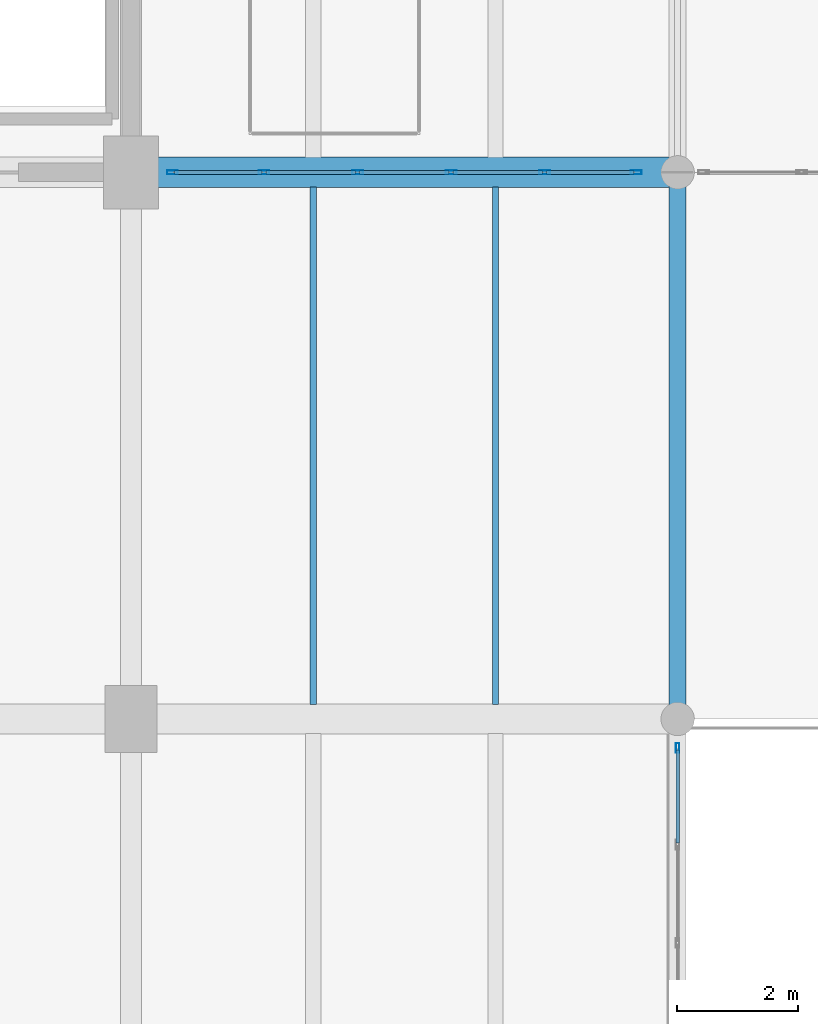
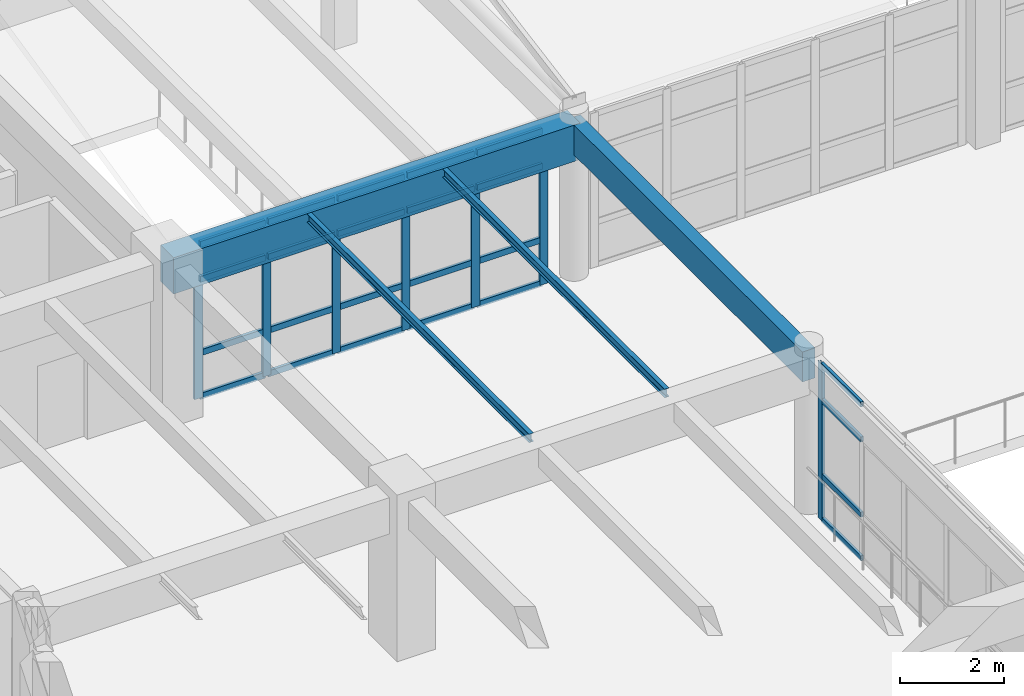
# One storey, part 56 of 156: 31 members, 4 beams, 2 elements without a shape of their own.
"""IFC4 building model written with IfcOpenShell, lengths in metres."""

import ifcopenshell
import ifcopenshell.guid

model = None  # the IFC model being written
_history = None  # IfcOwnerHistory: only IFC2X3 demands one
_inside = {}  # id of a spatial element -> (the spatial element, [elements in it])
_under = {}  # id of a project, library or spatial element -> (it, [spatial elements below it])
_declared = {}  # id of a project -> (the project, [libraries it declares])
_typed = {}  # id of a type object -> (the type object, [elements of that type])
_made_of = {}  # id of a material, layer set ... -> (it, [elements and type objects made of it])


def new_model(schema):
    """Start an empty IFC model of exactly this schema.

    Asked for "IFC4X3", IfcOpenShell would pick the latest addendum, in which some entities
    have other attributes; the version numbers below select the first issue.
    IFC2X3 requires an IfcOwnerHistory on every rooted entity: one is made here for all.
    """
    global model, _history
    if schema == "IFC4X3":
        model = ifcopenshell.file(schema_version=(4, 3, 0, 0))
    else:
        model = ifcopenshell.file(schema=schema)
    _inside.clear()
    _under.clear()
    _declared.clear()
    _typed.clear()
    _made_of.clear()
    _history = None
    if model.schema == "IFC2X3":
        org = make("IfcOrganization", Name="unknown")
        user = make(
            "IfcPersonAndOrganization",
            ThePerson=make("IfcPerson", FamilyName="unknown"),
            TheOrganization=org,
        )
        app = make(
            "IfcApplication",
            ApplicationDeveloper=org,
            Version="unknown",
            ApplicationFullName="unknown",
            ApplicationIdentifier="unknown",
        )
        _history = make(
            "IfcOwnerHistory",
            OwningUser=user,
            OwningApplication=app,
            ChangeAction="ADDED",
            CreationDate=0,
        )
    return model


def make(cls, **values):
    """One entity of the class cls with the attributes given. An attribute that is None is left unset."""
    return model.create_entity(
        cls, **{name: value for name, value in values.items() if value is not None}
    )


def rooted(cls, **values):
    """An entity with a GlobalId (a new one), such as an element, a storey or a relation."""
    return make(cls, GlobalId=ifcopenshell.guid.new(), OwnerHistory=_history, **values)


def si_unit(unit_type, name, prefix=None):
    """IfcSIUnit, for example si_unit("LENGTHUNIT", "METRE", prefix="MILLI")."""
    return make("IfcSIUnit", UnitType=unit_type, Prefix=prefix, Name=name)


def assignment(units):
    """IfcUnitAssignment: the units of a project."""
    return None if units is None else make("IfcUnitAssignment", Units=units)


def point(xyz):
    """IfcCartesianPoint."""
    return None if xyz is None else make("IfcCartesianPoint", Coordinates=xyz)


def direction(xyz):
    """IfcDirection."""
    return None if xyz is None else make("IfcDirection", DirectionRatios=xyz)


def frame(location, z_axis=None, x_axis=None):
    """IfcAxis2Placement3D, a coordinate frame: its origin and axes. An axis left out is left unset."""
    return make(
        "IfcAxis2Placement3D",
        Location=point(location),
        Axis=direction(z_axis),
        RefDirection=direction(x_axis),
    )


def frame_2d(location, x_axis=None):
    """IfcAxis2Placement2D, a coordinate frame in the plane: its origin and x axis."""
    return make(
        "IfcAxis2Placement2D", Location=point(location), RefDirection=direction(x_axis)
    )


def origin():
    """The frame at (0, 0, 0) with its axes left unset."""
    return frame((0.0, 0.0, 0.0))


def origin_2d():
    """The frame at (0, 0) in the plane with its x axis left unset."""
    return frame_2d((0.0, 0.0))


def place(relative_to, where):
    """IfcLocalPlacement: puts the frame where relative to a parent placement (None: the world)."""
    return make(
        "IfcLocalPlacement", PlacementRelTo=relative_to, RelativePlacement=where
    )


def context(
    kind, dimensions, precision=None, world=None, true_north=None, identifier=None
):
    """IfcGeometricRepresentationContext, for example the 3D "Model" context."""
    return make(
        "IfcGeometricRepresentationContext",
        ContextIdentifier=identifier,
        ContextType=kind,
        CoordinateSpaceDimension=dimensions,
        Precision=precision,
        WorldCoordinateSystem=world,
        TrueNorth=true_north,
    )


def subcontext(parent, identifier, kind, view, scale=None):
    """IfcGeometricRepresentationSubContext, for example "Body" below "Model"."""
    return make(
        "IfcGeometricRepresentationSubContext",
        ContextIdentifier=identifier,
        ContextType=kind,
        ParentContext=parent,
        TargetScale=scale,
        TargetView=view,
    )


def project(units=None, contexts=None):
    """IfcProject with its units and contexts."""
    return rooted(
        "IfcProject",
        Name="project",
        RepresentationContexts=contexts,
        UnitsInContext=assignment(units),
    )


def spatial(cls, under=None, at=None, **own):
    """A site, building, storey or space (cls), placed at a placement, below another one or the project."""
    s = rooted(cls, ObjectPlacement=at, **own)
    if under is not None:
        _under.setdefault(under.id(), (under, []))[1].append(s)
    return s


def profile(cls, at=None, kind="AREA", **sizes):
    """A parametric profile (cls). Its sizes go by their IFC names, for example OverallWidth=200.0."""
    return make(cls, ProfileType=kind, Position=at, **sizes)


def rectangle(**sizes):
    """IfcRectangleProfileDef."""
    return profile("IfcRectangleProfileDef", **sizes)


def hollow_rectangle(**sizes):
    """IfcRectangleHollowProfileDef."""
    return profile("IfcRectangleHollowProfileDef", **sizes)


def i_section(**sizes):
    """IfcIShapeProfileDef."""
    return profile("IfcIShapeProfileDef", **sizes)


def extrude(swept, where, along, depth):
    """IfcExtrudedAreaSolid: the profile swept, set in the frame where, extruded along a direction by depth."""
    return make(
        "IfcExtrudedAreaSolid",
        SweptArea=swept,
        Position=where,
        ExtrudedDirection=direction(along),
        Depth=depth,
    )


def shape(context_of_items, identifier, shape_type, items):
    """IfcShapeRepresentation: the items that make up one representation, for example the "Body"."""
    return make(
        "IfcShapeRepresentation",
        ContextOfItems=context_of_items,
        RepresentationIdentifier=identifier,
        RepresentationType=shape_type,
        Items=items,
    )


def material(Name=None, Category=None):
    """IfcMaterial."""
    return make("IfcMaterial", Name=Name, Category=Category)


def layer(
    of_material, thickness, ventilated=None, Name=None, Category=None, Priority=None
):
    """IfcMaterialLayer: one layer of a wall or slab, of a material (None: an air gap)."""
    return make(
        "IfcMaterialLayer",
        Material=of_material,
        LayerThickness=thickness,
        IsVentilated=ventilated,
        Name=Name,
        Category=Category,
        Priority=Priority,
    )


def layer_set(layers, Name=None):
    """IfcMaterialLayerSet."""
    return make("IfcMaterialLayerSet", MaterialLayers=layers, LayerSetName=Name)


def material_profile(
    of_material, cross_section, Name=None, Category=None, Priority=None
):
    """IfcMaterialProfile: a cross section and its material."""
    return make(
        "IfcMaterialProfile",
        Name=Name,
        Material=of_material,
        Profile=cross_section,
        Priority=Priority,
        Category=Category,
    )


def profile_set(profiles, Name=None, composite=None):
    """IfcMaterialProfileSet."""
    return make(
        "IfcMaterialProfileSet",
        Name=Name,
        MaterialProfiles=profiles,
        CompositeProfile=composite,
    )


def made_of(thing, what):
    """Note that an element or type object is made of a material, layer set ...; save() writes the relation."""
    if what is not None:
        _made_of.setdefault(what.id(), (what, []))[1].append(thing)
    return thing


def type_object(cls, material=None, **own):
    """A type object (cls), such as IfcWallType, which elements share."""
    return made_of(rooted(cls, **own), material)


def element(
    cls,
    number,
    at=None,
    inside=None,
    cuts=None,
    type_object=None,
    material=None,
    context=None,
    identifier="Body",
    shape_type=None,
    held_by="IfcProductDefinitionShape",
    body=None,
    shapes=None,
    **own,
):
    """One element of the class cls, such as IfcWall. Its Tag is "e" and its number.

    at: its placement. inside: the storey or other place that contains it. cuts: it is an
    opening in that element (IfcRelVoidsElement). A single representation is given by context,
    identifier, shape_type and body (its items); several are given by shapes. held_by: the class
    of the entity that holds the representations. save() writes the other relations.
    """
    e = rooted(cls, Tag="e%d" % number, ObjectPlacement=at, **own)
    if body is not None:
        shapes = [shape(context, identifier, shape_type, body)]
    if shapes is not None:
        e.Representation = make(held_by, Representations=shapes)
    if inside is not None:
        _inside.setdefault(inside.id(), (inside, []))[1].append(e)
    if cuts is not None:
        rooted(
            "IfcRelVoidsElement", RelatingBuildingElement=cuts, RelatedOpeningElement=e
        )
    if type_object is not None:
        _typed.setdefault(type_object.id(), (type_object, []))[1].append(e)
    return made_of(e, material)


def aggregate(whole, parts):
    """IfcRelAggregates: a whole, such as a stair, and the parts it consists of."""
    return rooted("IfcRelAggregates", RelatingObject=whole, RelatedObjects=parts)


def save(model, path):
    """Write the relations noted so far, then the file.

    IfcRelAggregates (storeys below a building ...), IfcRelContainedInSpatialStructure (elements
    in a storey), IfcRelDefinesByType, IfcRelAssociatesMaterial and IfcRelDeclares: one each for
    every whole, place, type object, material and project.
    """
    for whole, parts in _under.values():
        aggregate(whole, parts)
    for where, things in _inside.values():
        rooted(
            "IfcRelContainedInSpatialStructure",
            RelatedElements=things,
            RelatingStructure=where,
        )
    for kind, things in _typed.values():
        rooted("IfcRelDefinesByType", RelatedObjects=things, RelatingType=kind)
    for what, things in _made_of.values():
        rooted("IfcRelAssociatesMaterial", RelatedObjects=things, RelatingMaterial=what)
    for by, libraries in _declared.values():
        rooted("IfcRelDeclares", RelatingContext=by, RelatedDefinitions=libraries)
    model.write(path)


model = new_model("IFC4")

# Units and contexts
model_context = context("Model", 3, precision=1e-05, world=origin(), true_north=direction((0.0, 1.0)))
body_context = subcontext(model_context, "Body", "Model", "MODEL_VIEW")
ifc_project = project(units=[si_unit("LENGTHUNIT", "METRE"), si_unit("AREAUNIT", "SQUARE_METRE"), si_unit("VOLUMEUNIT", "CUBIC_METRE"), si_unit("PLANEANGLEUNIT", "RADIAN"), si_unit("MASSUNIT", "GRAM", prefix="KILO")], contexts=[model_context])

# Site, building, storey
site_placement = place(None, origin())
site = spatial("IfcSite", under=ifc_project, at=site_placement, CompositionType="ELEMENT")
building_placement = place(site_placement, origin())
building = spatial("IfcBuilding", under=site, at=building_placement, Name="Ornek Quay Market", CompositionType="ELEMENT")
storey_placement = place(building_placement, frame((0.0, 0.0, 4.5)))
storey = spatial("IfcBuildingStorey", under=building, at=storey_placement, Name="L01", CompositionType="ELEMENT", Elevation=4.5)

# Beams
ifc_material_1 = material(Name="Concrete C40/50", Category="concrete")
ifc_material_profile_1 = material_profile(ifc_material_1, rectangle(XDim=0.5, YDim=0.85009765625, at=origin_2d()), Name="RC 500x850", Category="concrete")
ifc_profile_set_1 = profile_set([ifc_material_profile_1], Name="Concrete C40/50")
beam_type_1 = type_object("IfcBeamType", Name="BM-GAL-500x850", PredefinedType="BEAM", material=ifc_profile_set_1)
beam_1_placement = place(storey_placement, frame((63.0, 92.0, 3.235107421875), z_axis=(1.0, 0.0, 0.0), x_axis=(0.0, 1.0, 0.0)))
element("IfcBeam", 1, at=beam_1_placement, inside=storey, type_object=beam_type_1, Name="Primary beam B-GL1-078", PredefinedType="BEAM", context=body_context, shape_type="SweptSolid", body=[
    extrude(rectangle(XDim=0.5, YDim=0.85009765625, at=origin_2d()), origin(), (0.0, 0.0, 1.0), 9.0),
])
ifc_material_2 = material(Name="Concrete C35/45", Category="concrete")
ifc_material_profile_2 = material_profile(ifc_material_2, rectangle(XDim=0.280029296875, YDim=0.699951171875, at=origin_2d()), Name="RC 280x700", Category="concrete")
ifc_profile_set_2 = profile_set([ifc_material_profile_2], Name="Concrete C35/45")
beam_type_2 = type_object("IfcBeamType", Name="BM-SPN-280x700", PredefinedType="SPANDREL", material=ifc_profile_set_2)
beam_2_placement = place(storey_placement, frame((72.0, 83.0, 3.31005859375), z_axis=(0.0, 1.0, 0.0), x_axis=(-1.0, 0.0, 0.0)))
element("IfcBeam", 2, at=beam_2_placement, inside=storey, type_object=beam_type_2, Name="Primary beam B-SP2-067", PredefinedType="SPANDREL", context=body_context, shape_type="SweptSolid", body=[
    extrude(rectangle(XDim=0.280029296875, YDim=0.699951171875, at=origin_2d()), origin(), (0.0, 0.0, 1.0), 9.0),
])
ifc_material_3 = material(Name="Steel S355", Category="steel")
ifc_material_profile_3 = material_profile(ifc_material_3, i_section(OverallWidth=0.10009765625, OverallDepth=0.199951171875, WebThickness=0.005615234375, FlangeThickness=0.008544921875, FilletRadius=0.011962890625, at=origin_2d()), Name="IPE 200", Category="steel")
ifc_profile_set_3 = profile_set([ifc_material_profile_3], Name="Steel S355")
beam_type_3 = type_object("IfcBeamType", Name="BM-STL-IPE200", PredefinedType="JOIST", material=ifc_profile_set_3)
for number, where, z_axis, x_axis, name in (
    (3, (66.0, 83.241943359375, 3.56005859375), (0.0, 1.0, 0.0), (-1.0, 0.0, 0.0), "Secondary joist SB-02-025"),
    (4, (69.0, 83.241943359375, 3.56005859375), (0.0, 1.0, 0.0), (-1.0, 0.0, 0.0), "Secondary joist SB-02-026"),
):
    element("IfcBeam", number, at=place(storey_placement, frame(where, z_axis=z_axis, x_axis=x_axis)), inside=storey, type_object=beam_type_3, Name=name, PredefinedType="JOIST", context=body_context, shape_type="SweptSolid", body=[
        extrude(i_section(OverallWidth=0.10009765625, OverallDepth=0.199951171875, WebThickness=0.005615234375, FlangeThickness=0.008544921875, FilletRadius=0.011962890625, at=origin_2d()), origin(), (0.0, 0.0, 1.0), 8.51611328125),
    ])

# Curtain wall, member
ifc_material_4 = material(Name="Anodised bronze aluminium and triple low-e glass", Category="aluminium")
ifc_layer = layer(ifc_material_4, 0.139892578125, Name="Anodised bronze aluminium and triple low-e glass", Category="aluminium")
ifc_layer_set = layer_set([ifc_layer], Name="Anodised bronze aluminium and triple low-e glass")
curtain_wall_type = type_object("IfcCurtainWallType", Name="CW-GALLERY-INT", PredefinedType="USERDEFINED", material=ifc_layer_set)
curtain_wall_1_placement = place(storey_placement, origin())
curtain_wall_1 = element("IfcCurtainWall", 5, at=curtain_wall_1_placement, inside=storey, type_object=curtain_wall_type, Name="Curtain wall CW-102", ObjectType="CURTAIN WALL", PredefinedType="USERDEFINED")
ifc_material_5 = material(Name="Anodised aluminium 6063-T6", Category="aluminium")
ifc_material_profile_4 = material_profile(ifc_material_5, hollow_rectangle(XDim=0.06005859375, YDim=0.159912109375, WallThickness=0.00390625, at=origin_2d()), Name="CW-MUL-60x160", Category="aluminium")
ifc_profile_set_4 = profile_set([ifc_material_profile_4], Name="Anodised aluminium 6063-T6")
member_type_1 = type_object("IfcMemberType", Name="CW-MUL-60x160", PredefinedType="MULLION", material=ifc_profile_set_4)
member_1_placement = place(storey_placement, frame((72.0, 82.52001953125, 0.0), z_axis=(0.0, 0.0, 1.0), x_axis=(-1.0, 0.0, 0.0)))
member_1 = element("IfcMember", 6, at=member_1_placement, type_object=member_type_1, Name="CW-102 mullion 6", PredefinedType="MULLION", context=body_context, shape_type="SweptSolid", body=[
    extrude(hollow_rectangle(XDim=0.06005859375, YDim=0.159912109375, WallThickness=0.00390625, at=origin_2d()), origin(), (0.0, 0.0, 1.0), 3.659912109375),
])

# Curtain wall, members
curtain_wall_2_placement = place(storey_placement, origin())
curtain_wall_2 = element("IfcCurtainWall", 7, at=curtain_wall_2_placement, inside=storey, type_object=curtain_wall_type, Name="Curtain wall CW-127", ObjectType="CURTAIN WALL", PredefinedType="USERDEFINED")
ifc_material_profile_5 = material_profile(ifc_material_5, hollow_rectangle(XDim=0.06494140625, YDim=0.179931640625, WallThickness=0.00439453125, at=origin_2d()), Name="CW-MUL-65x180", Category="aluminium")
ifc_profile_set_5 = profile_set([ifc_material_profile_5], Name="Anodised aluminium 6063-T6")
member_type_2 = type_object("IfcMemberType", Name="CW-MUL-65x180", PredefinedType="MULLION", material=ifc_profile_set_5)
member_2_placement = place(storey_placement, frame((63.6826171875, 92.0, 0.0), z_axis=(0.0, 0.0, 1.0), x_axis=(0.0, 1.0, 0.0)))
member_2 = element("IfcMember", 8, at=member_2_placement, type_object=member_type_2, Name="CW-127 mullion 1", PredefinedType="MULLION", context=body_context, shape_type="SweptSolid", body=[
    extrude(hollow_rectangle(XDim=0.06494140625, YDim=0.179931640625, WallThickness=0.00439453125, at=origin_2d()), origin(), (0.0, 0.0, 1.0), 3.6201171875),
])
member_3_placement = place(storey_placement, frame((65.18994140625, 92.0, 0.0), z_axis=(0.0, 0.0, 1.0), x_axis=(0.0, 1.0, 0.0)))
member_3 = element("IfcMember", 9, at=member_3_placement, type_object=member_type_2, Name="CW-127 mullion 2", PredefinedType="MULLION", context=body_context, shape_type="SweptSolid", body=[
    extrude(hollow_rectangle(XDim=0.06494140625, YDim=0.179931640625, WallThickness=0.00439453125, at=origin_2d()), origin(), (0.0, 0.0, 1.0), 3.6201171875),
])
member_4_placement = place(storey_placement, frame((66.72998046875, 92.0, 0.0), z_axis=(0.0, 0.0, 1.0), x_axis=(0.0, 1.0, 0.0)))
member_4 = element("IfcMember", 10, at=member_4_placement, type_object=member_type_2, Name="CW-127 mullion 3", PredefinedType="MULLION", context=body_context, shape_type="SweptSolid", body=[
    extrude(hollow_rectangle(XDim=0.06494140625, YDim=0.179931640625, WallThickness=0.00439453125, at=origin_2d()), origin(), (0.0, 0.0, 1.0), 3.6201171875),
])
member_5_placement = place(storey_placement, frame((68.27001953125, 92.0, 0.0), z_axis=(0.0, 0.0, 1.0), x_axis=(0.0, 1.0, 0.0)))
member_5 = element("IfcMember", 11, at=member_5_placement, type_object=member_type_2, Name="CW-127 mullion 4", PredefinedType="MULLION", context=body_context, shape_type="SweptSolid", body=[
    extrude(hollow_rectangle(XDim=0.06494140625, YDim=0.179931640625, WallThickness=0.00439453125, at=origin_2d()), origin(), (0.0, 0.0, 1.0), 3.6201171875),
])
member_6_placement = place(storey_placement, frame((69.81005859375, 92.0, 0.0), z_axis=(0.0, 0.0, 1.0), x_axis=(0.0, 1.0, 0.0)))
member_6 = element("IfcMember", 12, at=member_6_placement, type_object=member_type_2, Name="CW-127 mullion 5", PredefinedType="MULLION", context=body_context, shape_type="SweptSolid", body=[
    extrude(hollow_rectangle(XDim=0.06494140625, YDim=0.179931640625, WallThickness=0.00439453125, at=origin_2d()), origin(), (0.0, 0.0, 1.0), 3.6201171875),
])
member_7_placement = place(storey_placement, frame((71.3173828125, 92.0, 0.0), z_axis=(0.0, 0.0, 1.0), x_axis=(0.0, 1.0, 0.0)))
member_7 = element("IfcMember", 13, at=member_7_placement, type_object=member_type_2, Name="CW-127 mullion 6", PredefinedType="MULLION", context=body_context, shape_type="SweptSolid", body=[
    extrude(hollow_rectangle(XDim=0.06494140625, YDim=0.179931640625, WallThickness=0.00439453125, at=origin_2d()), origin(), (0.0, 0.0, 1.0), 3.6201171875),
])

# Member
ifc_material_profile_6 = material_profile(ifc_material_5, hollow_rectangle(XDim=0.06005859375, YDim=0.1201171875, WallThickness=0.00390625, at=origin_2d()), Name="CW-TRN-60x120", Category="aluminium")
ifc_profile_set_6 = profile_set([ifc_material_profile_6], Name="Anodised aluminium 6063-T6")
member_type_3 = type_object("IfcMemberType", Name="CW-TRN-60x120", PredefinedType="USERDEFINED", material=ifc_profile_set_6)
member_8_placement = place(storey_placement, frame((72.0, 80.9599609375, 0.030029296875), z_axis=(0.0, 1.0, 0.0), x_axis=(-1.0, 0.0, 0.0)))
member_8 = element("IfcMember", 14, at=member_8_placement, type_object=member_type_3, Name="CW-102 transom 5.1", ObjectType="TRANSOM", PredefinedType="USERDEFINED", context=body_context, shape_type="SweptSolid", body=[
    extrude(hollow_rectangle(XDim=0.06005859375, YDim=0.1201171875, WallThickness=0.00390625, at=origin_2d()), origin(), (0.0, 0.0, 1.0), 1.530029296875),
])

member_9_placement = place(storey_placement, frame((72.0, 80.9599609375, 1.050048828125), z_axis=(0.0, 1.0, 0.0), x_axis=(-1.0, 0.0, 0.0)))
member_9 = element("IfcMember", 15, at=member_9_placement, type_object=member_type_3, Name="CW-102 transom 5.2", ObjectType="TRANSOM", PredefinedType="USERDEFINED", context=body_context, shape_type="SweptSolid", body=[
    extrude(hollow_rectangle(XDim=0.06005859375, YDim=0.1201171875, WallThickness=0.00390625, at=origin_2d()), origin(), (0.0, 0.0, 1.0), 1.530029296875),
])

member_10_placement = place(storey_placement, frame((72.0, 80.9599609375, 2.81005859375), z_axis=(0.0, 1.0, 0.0), x_axis=(-1.0, 0.0, 0.0)))
member_10 = element("IfcMember", 16, at=member_10_placement, type_object=member_type_3, Name="CW-102 transom 5.3", ObjectType="TRANSOM", PredefinedType="USERDEFINED", context=body_context, shape_type="SweptSolid", body=[
    extrude(hollow_rectangle(XDim=0.06005859375, YDim=0.1201171875, WallThickness=0.00390625, at=origin_2d()), origin(), (0.0, 0.0, 1.0), 1.530029296875),
])

member_11_placement = place(storey_placement, frame((72.0, 80.9599609375, 3.6298828125), z_axis=(0.0, 1.0, 0.0), x_axis=(-1.0, 0.0, 0.0)))
member_11 = element("IfcMember", 17, at=member_11_placement, type_object=member_type_3, Name="CW-102 transom 5.4", ObjectType="TRANSOM", PredefinedType="USERDEFINED", context=body_context, shape_type="SweptSolid", body=[
    extrude(hollow_rectangle(XDim=0.06005859375, YDim=0.1201171875, WallThickness=0.00390625, at=origin_2d()), origin(), (0.0, 0.0, 1.0), 1.530029296875),
])

aggregate(curtain_wall_1, [member_1, member_8, member_9, member_10, member_11])

ifc_material_profile_7 = material_profile(ifc_material_5, hollow_rectangle(XDim=0.06494140625, YDim=0.139892578125, WallThickness=0.00439453125, at=origin_2d()), Name="CW-TRN-65x140", Category="aluminium")
ifc_profile_set_7 = profile_set([ifc_material_profile_7], Name="Anodised aluminium 6063-T6")
member_type_4 = type_object("IfcMemberType", Name="CW-TRN-65x140", PredefinedType="USERDEFINED", material=ifc_profile_set_7)
member_12_placement = place(storey_placement, frame((63.715087890625, 92.0, 0.032470703125), z_axis=(1.0, 0.0, 0.0), x_axis=(0.0, 1.0, 0.0)))
member_12 = element("IfcMember", 18, at=member_12_placement, type_object=member_type_4, Name="CW-127 transom 1.1", ObjectType="TRANSOM", PredefinedType="USERDEFINED", context=body_context, shape_type="SweptSolid", body=[
    extrude(hollow_rectangle(XDim=0.06494140625, YDim=0.139892578125, WallThickness=0.00439453125, at=origin_2d()), origin(), (0.0, 0.0, 1.0), 1.4423828125),
])

member_13_placement = place(storey_placement, frame((63.715087890625, 92.0, 1.050048828125), z_axis=(1.0, 0.0, 0.0), x_axis=(0.0, 1.0, 0.0)))
member_13 = element("IfcMember", 19, at=member_13_placement, type_object=member_type_4, Name="CW-127 transom 1.2", ObjectType="TRANSOM", PredefinedType="USERDEFINED", context=body_context, shape_type="SweptSolid", body=[
    extrude(hollow_rectangle(XDim=0.06494140625, YDim=0.139892578125, WallThickness=0.00439453125, at=origin_2d()), origin(), (0.0, 0.0, 1.0), 1.4423828125),
])

member_14_placement = place(storey_placement, frame((63.715087890625, 92.0, 2.77001953125), z_axis=(1.0, 0.0, 0.0), x_axis=(0.0, 1.0, 0.0)))
member_14 = element("IfcMember", 20, at=member_14_placement, type_object=member_type_4, Name="CW-127 transom 1.3", ObjectType="TRANSOM", PredefinedType="USERDEFINED", context=body_context, shape_type="SweptSolid", body=[
    extrude(hollow_rectangle(XDim=0.06494140625, YDim=0.139892578125, WallThickness=0.00439453125, at=origin_2d()), origin(), (0.0, 0.0, 1.0), 1.4423828125),
])

member_15_placement = place(storey_placement, frame((63.715087890625, 92.0, 3.58740234375), z_axis=(1.0, 0.0, 0.0), x_axis=(0.0, 1.0, 0.0)))
member_15 = element("IfcMember", 21, at=member_15_placement, type_object=member_type_4, Name="CW-127 transom 1.4", ObjectType="TRANSOM", PredefinedType="USERDEFINED", context=body_context, shape_type="SweptSolid", body=[
    extrude(hollow_rectangle(XDim=0.06494140625, YDim=0.139892578125, WallThickness=0.00439453125, at=origin_2d()), origin(), (0.0, 0.0, 1.0), 1.4423828125),
])

member_16_placement = place(storey_placement, frame((65.222412109375, 92.0, 0.032470703125), z_axis=(1.0, 0.0, 0.0), x_axis=(0.0, 1.0, 0.0)))
member_16 = element("IfcMember", 22, at=member_16_placement, type_object=member_type_4, Name="CW-127 transom 2.1", ObjectType="TRANSOM", PredefinedType="USERDEFINED", context=body_context, shape_type="SweptSolid", body=[
    extrude(hollow_rectangle(XDim=0.06494140625, YDim=0.139892578125, WallThickness=0.00439453125, at=origin_2d()), origin(), (0.0, 0.0, 1.0), 1.47509765625),
])

member_17_placement = place(storey_placement, frame((65.222412109375, 92.0, 1.050048828125), z_axis=(1.0, 0.0, 0.0), x_axis=(0.0, 1.0, 0.0)))
member_17 = element("IfcMember", 23, at=member_17_placement, type_object=member_type_4, Name="CW-127 transom 2.2", ObjectType="TRANSOM", PredefinedType="USERDEFINED", context=body_context, shape_type="SweptSolid", body=[
    extrude(hollow_rectangle(XDim=0.06494140625, YDim=0.139892578125, WallThickness=0.00439453125, at=origin_2d()), origin(), (0.0, 0.0, 1.0), 1.47509765625),
])

member_18_placement = place(storey_placement, frame((65.222412109375, 92.0, 2.77001953125), z_axis=(1.0, 0.0, 0.0), x_axis=(0.0, 1.0, 0.0)))
member_18 = element("IfcMember", 24, at=member_18_placement, type_object=member_type_4, Name="CW-127 transom 2.3", ObjectType="TRANSOM", PredefinedType="USERDEFINED", context=body_context, shape_type="SweptSolid", body=[
    extrude(hollow_rectangle(XDim=0.06494140625, YDim=0.139892578125, WallThickness=0.00439453125, at=origin_2d()), origin(), (0.0, 0.0, 1.0), 1.47509765625),
])

member_19_placement = place(storey_placement, frame((65.222412109375, 92.0, 3.58740234375), z_axis=(1.0, 0.0, 0.0), x_axis=(0.0, 1.0, 0.0)))
member_19 = element("IfcMember", 25, at=member_19_placement, type_object=member_type_4, Name="CW-127 transom 2.4", ObjectType="TRANSOM", PredefinedType="USERDEFINED", context=body_context, shape_type="SweptSolid", body=[
    extrude(hollow_rectangle(XDim=0.06494140625, YDim=0.139892578125, WallThickness=0.00439453125, at=origin_2d()), origin(), (0.0, 0.0, 1.0), 1.47509765625),
])

member_20_placement = place(storey_placement, frame((66.762451171875, 92.0, 0.032470703125), z_axis=(1.0, 0.0, 0.0), x_axis=(0.0, 1.0, 0.0)))
member_20 = element("IfcMember", 26, at=member_20_placement, type_object=member_type_4, Name="CW-127 transom 3.1", ObjectType="TRANSOM", PredefinedType="USERDEFINED", context=body_context, shape_type="SweptSolid", body=[
    extrude(hollow_rectangle(XDim=0.06494140625, YDim=0.139892578125, WallThickness=0.00439453125, at=origin_2d()), origin(), (0.0, 0.0, 1.0), 1.47509765625),
])

member_21_placement = place(storey_placement, frame((66.762451171875, 92.0, 1.050048828125), z_axis=(1.0, 0.0, 0.0), x_axis=(0.0, 1.0, 0.0)))
member_21 = element("IfcMember", 27, at=member_21_placement, type_object=member_type_4, Name="CW-127 transom 3.2", ObjectType="TRANSOM", PredefinedType="USERDEFINED", context=body_context, shape_type="SweptSolid", body=[
    extrude(hollow_rectangle(XDim=0.06494140625, YDim=0.139892578125, WallThickness=0.00439453125, at=origin_2d()), origin(), (0.0, 0.0, 1.0), 1.47509765625),
])

member_22_placement = place(storey_placement, frame((66.762451171875, 92.0, 2.77001953125), z_axis=(1.0, 0.0, 0.0), x_axis=(0.0, 1.0, 0.0)))
member_22 = element("IfcMember", 28, at=member_22_placement, type_object=member_type_4, Name="CW-127 transom 3.3", ObjectType="TRANSOM", PredefinedType="USERDEFINED", context=body_context, shape_type="SweptSolid", body=[
    extrude(hollow_rectangle(XDim=0.06494140625, YDim=0.139892578125, WallThickness=0.00439453125, at=origin_2d()), origin(), (0.0, 0.0, 1.0), 1.47509765625),
])

member_23_placement = place(storey_placement, frame((66.762451171875, 92.0, 3.58740234375), z_axis=(1.0, 0.0, 0.0), x_axis=(0.0, 1.0, 0.0)))
member_23 = element("IfcMember", 29, at=member_23_placement, type_object=member_type_4, Name="CW-127 transom 3.4", ObjectType="TRANSOM", PredefinedType="USERDEFINED", context=body_context, shape_type="SweptSolid", body=[
    extrude(hollow_rectangle(XDim=0.06494140625, YDim=0.139892578125, WallThickness=0.00439453125, at=origin_2d()), origin(), (0.0, 0.0, 1.0), 1.47509765625),
])

member_24_placement = place(storey_placement, frame((68.302490234375, 92.0, 0.032470703125), z_axis=(1.0, 0.0, 0.0), x_axis=(0.0, 1.0, 0.0)))
member_24 = element("IfcMember", 30, at=member_24_placement, type_object=member_type_4, Name="CW-127 transom 4.1", ObjectType="TRANSOM", PredefinedType="USERDEFINED", context=body_context, shape_type="SweptSolid", body=[
    extrude(hollow_rectangle(XDim=0.06494140625, YDim=0.139892578125, WallThickness=0.00439453125, at=origin_2d()), origin(), (0.0, 0.0, 1.0), 1.47509765625),
])

member_25_placement = place(storey_placement, frame((68.302490234375, 92.0, 1.050048828125), z_axis=(1.0, 0.0, 0.0), x_axis=(0.0, 1.0, 0.0)))
member_25 = element("IfcMember", 31, at=member_25_placement, type_object=member_type_4, Name="CW-127 transom 4.2", ObjectType="TRANSOM", PredefinedType="USERDEFINED", context=body_context, shape_type="SweptSolid", body=[
    extrude(hollow_rectangle(XDim=0.06494140625, YDim=0.139892578125, WallThickness=0.00439453125, at=origin_2d()), origin(), (0.0, 0.0, 1.0), 1.47509765625),
])

member_26_placement = place(storey_placement, frame((68.302490234375, 92.0, 2.77001953125), z_axis=(1.0, 0.0, 0.0), x_axis=(0.0, 1.0, 0.0)))
member_26 = element("IfcMember", 32, at=member_26_placement, type_object=member_type_4, Name="CW-127 transom 4.3", ObjectType="TRANSOM", PredefinedType="USERDEFINED", context=body_context, shape_type="SweptSolid", body=[
    extrude(hollow_rectangle(XDim=0.06494140625, YDim=0.139892578125, WallThickness=0.00439453125, at=origin_2d()), origin(), (0.0, 0.0, 1.0), 1.47509765625),
])

member_27_placement = place(storey_placement, frame((68.302490234375, 92.0, 3.58740234375), z_axis=(1.0, 0.0, 0.0), x_axis=(0.0, 1.0, 0.0)))
member_27 = element("IfcMember", 33, at=member_27_placement, type_object=member_type_4, Name="CW-127 transom 4.4", ObjectType="TRANSOM", PredefinedType="USERDEFINED", context=body_context, shape_type="SweptSolid", body=[
    extrude(hollow_rectangle(XDim=0.06494140625, YDim=0.139892578125, WallThickness=0.00439453125, at=origin_2d()), origin(), (0.0, 0.0, 1.0), 1.47509765625),
])

member_28_placement = place(storey_placement, frame((69.842529296875, 92.0, 0.032470703125), z_axis=(1.0, 0.0, 0.0), x_axis=(0.0, 1.0, 0.0)))
member_28 = element("IfcMember", 34, at=member_28_placement, type_object=member_type_4, Name="CW-127 transom 5.1", ObjectType="TRANSOM", PredefinedType="USERDEFINED", context=body_context, shape_type="SweptSolid", body=[
    extrude(hollow_rectangle(XDim=0.06494140625, YDim=0.139892578125, WallThickness=0.00439453125, at=origin_2d()), origin(), (0.0, 0.0, 1.0), 1.4423828125),
])

member_29_placement = place(storey_placement, frame((69.842529296875, 92.0, 1.050048828125), z_axis=(1.0, 0.0, 0.0), x_axis=(0.0, 1.0, 0.0)))
member_29 = element("IfcMember", 35, at=member_29_placement, type_object=member_type_4, Name="CW-127 transom 5.2", ObjectType="TRANSOM", PredefinedType="USERDEFINED", context=body_context, shape_type="SweptSolid", body=[
    extrude(hollow_rectangle(XDim=0.06494140625, YDim=0.139892578125, WallThickness=0.00439453125, at=origin_2d()), origin(), (0.0, 0.0, 1.0), 1.4423828125),
])

member_30_placement = place(storey_placement, frame((69.842529296875, 92.0, 2.77001953125), z_axis=(1.0, 0.0, 0.0), x_axis=(0.0, 1.0, 0.0)))
member_30 = element("IfcMember", 36, at=member_30_placement, type_object=member_type_4, Name="CW-127 transom 5.3", ObjectType="TRANSOM", PredefinedType="USERDEFINED", context=body_context, shape_type="SweptSolid", body=[
    extrude(hollow_rectangle(XDim=0.06494140625, YDim=0.139892578125, WallThickness=0.00439453125, at=origin_2d()), origin(), (0.0, 0.0, 1.0), 1.4423828125),
])

member_31_placement = place(storey_placement, frame((69.842529296875, 92.0, 3.58740234375), z_axis=(1.0, 0.0, 0.0), x_axis=(0.0, 1.0, 0.0)))
member_31 = element("IfcMember", 37, at=member_31_placement, type_object=member_type_4, Name="CW-127 transom 5.4", ObjectType="TRANSOM", PredefinedType="USERDEFINED", context=body_context, shape_type="SweptSolid", body=[
    extrude(hollow_rectangle(XDim=0.06494140625, YDim=0.139892578125, WallThickness=0.00439453125, at=origin_2d()), origin(), (0.0, 0.0, 1.0), 1.4423828125),
])

aggregate(curtain_wall_2, [member_2, member_3, member_4, member_5, member_6, member_7, member_12, member_13, member_14, member_15, member_16, member_17, member_18, member_19, member_20, member_21, member_22, member_23, member_24, member_25, member_26, member_27, member_28, member_29, member_30, member_31])

save(model, "model.ifc")
